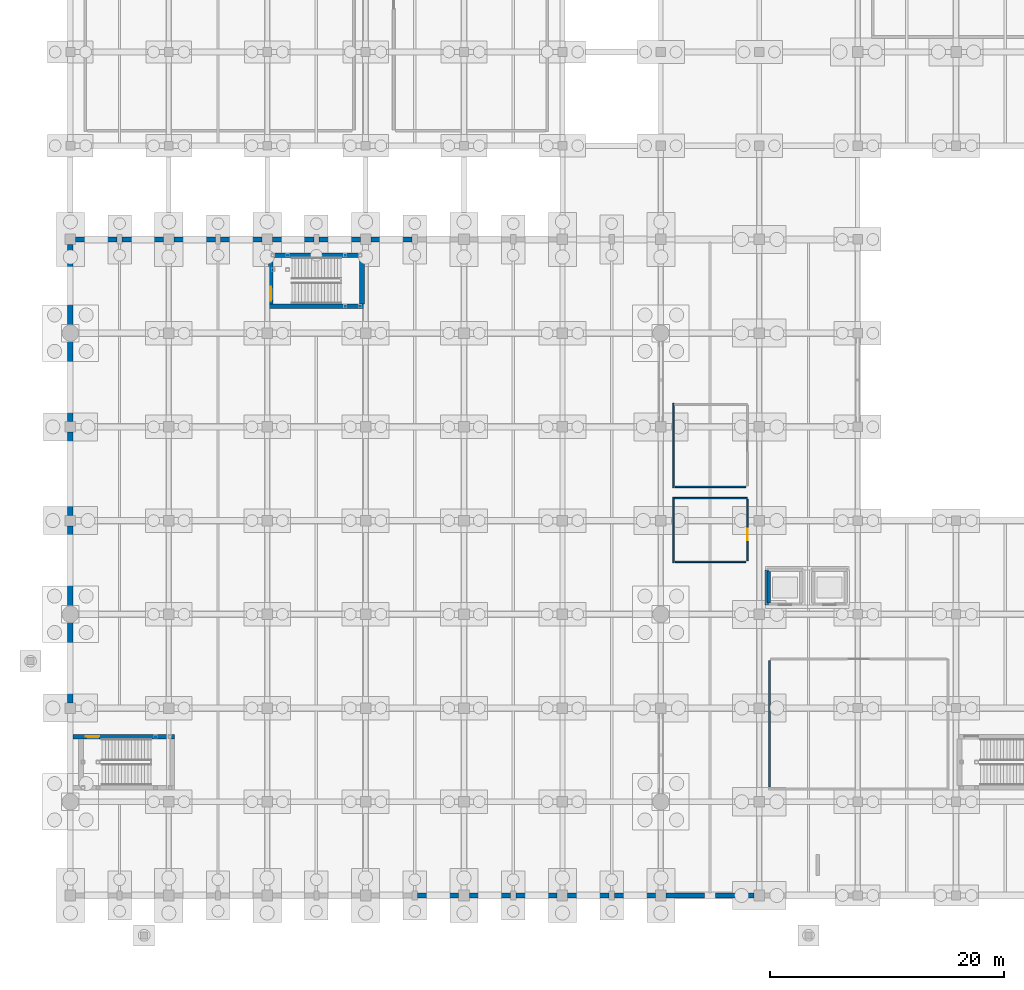
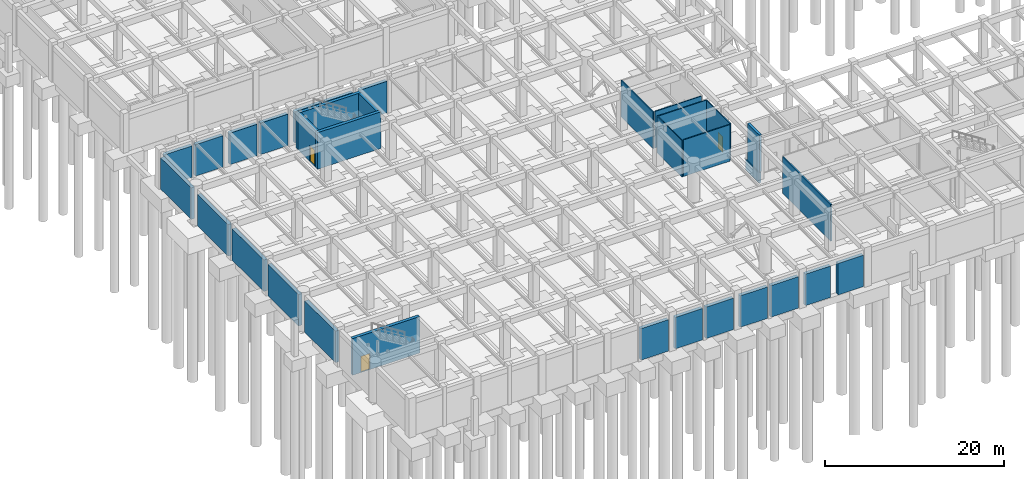
# One storey, part 36 of 56: 33 walls, 3 doors, 3 openings.
"""IFC4 building model written with IfcOpenShell, lengths in metres."""

from ifc_helpers import new_model, si_unit, direction, frame, frame_2d, origin, place, context, subcontext, project, spatial, rectangle, extrude, material, layer, layer_set, type_object, element, fill, save


model = new_model("IFC4")

# Units and contexts
model_context = context("Model", 3, precision=1e-05, world=origin(), true_north=direction((0.0, 1.0)))
body_context = subcontext(model_context, "Body", "Model", "MODEL_VIEW")
ifc_project = project(units=[si_unit("LENGTHUNIT", "METRE"), si_unit("AREAUNIT", "SQUARE_METRE"), si_unit("VOLUMEUNIT", "CUBIC_METRE"), si_unit("PLANEANGLEUNIT", "RADIAN"), si_unit("MASSUNIT", "GRAM", prefix="KILO")], contexts=[model_context])

# Site, building, storey
site_placement = place(None, origin())
site = spatial("IfcSite", under=ifc_project, at=site_placement, CompositionType="ELEMENT")
building_placement = place(site_placement, origin())
building = spatial("IfcBuilding", under=site, at=building_placement, Name="Naruveol Harbour Congress Hotel", CompositionType="ELEMENT")
storey_placement = place(building_placement, frame((0.0, 0.0, -5.39990234375)))
storey = spatial("IfcBuildingStorey", under=building, at=storey_placement, Name="B01", CompositionType="ELEMENT", Elevation=-5.39990234375)

# Walls
ifc_material_1 = material(Name="Autoclaved Aerated Concrete Block", Category="concrete")
ifc_layer_1 = layer(ifc_material_1, 0.179931640625)
ifc_layer_set_1 = layer_set([ifc_layer_1], Name="Autoclaved Aerated Concrete Block")
wall_type_1 = type_object("IfcWallType", Name="ACOUSTIC HALL PARTITION WALL 180 EI60", PredefinedType="PARTITIONING", material=ifc_layer_set_1)
wall_1_placement = place(storey_placement, frame((59.679931640625, 9.25, 0.0), z_axis=(0.0, 0.0, 1.0), x_axis=(0.0, 1.0, 0.0)))
element("IfcWall", 1, at=wall_1_placement, inside=storey, type_object=wall_type_1, Name="Bicycle Storage and Staff Changing Room west partition PW-180", PredefinedType="PARTITIONING", context=body_context, shape_type="SweptSolid", body=[
    extrude(rectangle(XDim=10.81005859375, YDim=0.179931640625, at=frame_2d((5.405029296875, 0.0))), origin(), (0.0, 0.0, 1.0), 4.994873046875),
])
ifc_material_2 = material(Name="Concrete C40/50", Category="concrete")
ifc_layer_2 = layer(ifc_material_2, 0.449951171875)
ifc_layer_set_2 = layer_set([ifc_layer_2], Name="Concrete C40/50")
wall_type_2 = type_object("IfcWallType", Name="RC BASEMENT RETAINING WALL 450", PredefinedType="USERDEFINED", material=ifc_layer_set_2)
for number, where, z_axis, x_axis, name in (
    (2, (58.35009765625, 0.0, 0.0), (0.0, 0.0, 1.0), (-1.0, 0.0, 0.0), "Basement south retaining wall RW-450"),
    (3, (54.1201171875, 0.0, 0.0), (0.0, 0.0, 1.0), (-1.0, 0.0, 0.0), "Basement south retaining wall RW-450"),
):
    element("IfcWall", number, at=place(storey_placement, frame(where, z_axis=z_axis, x_axis=x_axis)), inside=storey, type_object=wall_type_2, Name=name, ObjectType="RETAININGWALL", PredefinedType="USERDEFINED", context=body_context, shape_type="SweptSolid", body=[
        extrude(rectangle(XDim=3.27001953125, YDim=0.449951171875, at=frame_2d((1.635009765625, 0.0))), origin(), (0.0, 0.0, 1.0), 4.2998046875),
    ])
wall_2_placement = place(storey_placement, frame((49.949951171875, 0.0, 0.0), z_axis=(0.0, 0.0, 1.0), x_axis=(-1.0, 0.0, 0.0)))
element("IfcWall", 4, at=wall_2_placement, inside=storey, type_object=wall_type_2, Name="Basement south retaining wall RW-450", ObjectType="RETAININGWALL", PredefinedType="USERDEFINED", context=body_context, shape_type="SweptSolid", body=[
    extrude(rectangle(XDim=3.52490234375, YDim=0.449951171875, at=frame_2d((1.762451171875, 0.0))), origin(), (0.0, 0.0, 1.0), 4.2998046875),
])
for number, where, z_axis, x_axis, name in (
    (5, (45.97509765625, 0.0, 0.0), (0.0, 0.0, 1.0), (-1.0, 0.0, 0.0), "Basement south retaining wall RW-450"),
    (6, (41.550048828125, 0.0, 0.0), (0.0, 0.0, 1.0), (-1.0, 0.0, 0.0), "Basement south retaining wall RW-450"),
):
    element("IfcWall", number, at=place(storey_placement, frame(where, z_axis=z_axis, x_axis=x_axis)), inside=storey, type_object=wall_type_2, Name=name, ObjectType="RETAININGWALL", PredefinedType="USERDEFINED", context=body_context, shape_type="SweptSolid", body=[
        extrude(rectangle(XDim=3.525146484375, YDim=0.449951171875, at=frame_2d((1.7626953125, 0.0))), origin(), (0.0, 0.0, 1.0), 4.2998046875),
    ])
for number, where, z_axis, x_axis, name in (
    (7, (37.574951171875, 0.0, 0.0), (0.0, 0.0, 1.0), (-1.0, 0.0, 0.0), "Basement south retaining wall RW-450"),
    (8, (33.14990234375, 0.0, 0.0), (0.0, 0.0, 1.0), (-1.0, 0.0, 0.0), "Basement south retaining wall RW-450"),
):
    element("IfcWall", number, at=place(storey_placement, frame(where, z_axis=z_axis, x_axis=x_axis)), inside=storey, type_object=wall_type_2, Name=name, ObjectType="RETAININGWALL", PredefinedType="USERDEFINED", context=body_context, shape_type="SweptSolid", body=[
        extrude(rectangle(XDim=3.52490234375, YDim=0.449951171875, at=frame_2d((1.762451171875, 0.0))), origin(), (0.0, 0.0, 1.0), 4.2998046875),
    ])
for number, where, z_axis, x_axis, name in (
    (9, (0.0, 16.449951171875, 0.0), (0.0, 0.0, 1.0), (0.0, 1.0, 0.0), "Basement west retaining wall RW-450"),
    (10, (0.0, 24.699951171875, 0.0), (0.0, 0.0, 1.0), (0.0, 1.0, 0.0), "Basement west retaining wall RW-450"),
):
    element("IfcWall", number, at=place(storey_placement, frame(where, z_axis=z_axis, x_axis=x_axis)), inside=storey, type_object=wall_type_2, Name=name, ObjectType="RETAININGWALL", PredefinedType="USERDEFINED", context=body_context, shape_type="SweptSolid", body=[
        extrude(rectangle(XDim=6.85009765625, YDim=0.449951171875, at=frame_2d((3.425048828125, 0.0))), origin(), (0.0, 0.0, 1.0), 4.2998046875),
    ])
wall_3_placement = place(storey_placement, frame((0.0, 32.449951171875, 0.0), z_axis=(0.0, 0.0, 1.0), x_axis=(0.0, 1.0, 0.0)))
element("IfcWall", 11, at=wall_3_placement, inside=storey, type_object=wall_type_2, Name="Basement west retaining wall RW-450", ObjectType="RETAININGWALL", PredefinedType="USERDEFINED", context=body_context, shape_type="SweptSolid", body=[
    extrude(rectangle(XDim=7.10009765625, YDim=0.449951171875, at=frame_2d((3.550048828125, 0.0))), origin(), (0.0, 0.0, 1.0), 4.2998046875),
])
for number, where, z_axis, x_axis, name in (
    (12, (0.0, 40.449951171875, 0.0), (0.0, 0.0, 1.0), (0.0, 1.0, 0.0), "Basement west retaining wall RW-450"),
    (13, (0.0, 48.699951171875, 0.0), (0.0, 0.0, 1.0), (0.0, 1.0, 0.0), "Basement west retaining wall RW-450"),
):
    element("IfcWall", number, at=place(storey_placement, frame(where, z_axis=z_axis, x_axis=x_axis)), inside=storey, type_object=wall_type_2, Name=name, ObjectType="RETAININGWALL", PredefinedType="USERDEFINED", context=body_context, shape_type="SweptSolid", body=[
        extrude(rectangle(XDim=6.85009765625, YDim=0.449951171875, at=frame_2d((3.425048828125, 0.0))), origin(), (0.0, 0.0, 1.0), 4.2998046875),
    ])
wall_4_placement = place(storey_placement, frame((0.449951171875, 56.0, 0.0), z_axis=(0.0, 0.0, 1.0), x_axis=(1.0, 0.0, 0.0)))
element("IfcWall", 14, at=wall_4_placement, inside=storey, type_object=wall_type_2, Name="Basement V1 north wall RW-450", ObjectType="RETAININGWALL", PredefinedType="USERDEFINED", context=body_context, shape_type="SweptSolid", body=[
    extrude(rectangle(XDim=3.525146484375, YDim=0.449951171875, at=frame_2d((1.7626953125, 0.0))), origin(), (0.0, 0.0, 1.0), 4.2998046875),
])
for number, where, z_axis, x_axis, name in (
    (15, (4.425048828125, 56.0, 0.0), (0.0, 0.0, 1.0), (1.0, 0.0, 0.0), "Basement V1 north wall RW-450"),
    (16, (8.85009765625, 56.0, 0.0), (0.0, 0.0, 1.0), (1.0, 0.0, 0.0), "Basement V1 north wall RW-450"),
):
    element("IfcWall", number, at=place(storey_placement, frame(where, z_axis=z_axis, x_axis=x_axis)), inside=storey, type_object=wall_type_2, Name=name, ObjectType="RETAININGWALL", PredefinedType="USERDEFINED", context=body_context, shape_type="SweptSolid", body=[
        extrude(rectangle(XDim=3.52490234375, YDim=0.449951171875, at=frame_2d((1.762451171875, 0.0))), origin(), (0.0, 0.0, 1.0), 4.2998046875),
    ])
wall_5_placement = place(storey_placement, frame((12.824951171875, 56.0, 0.0), z_axis=(0.0, 0.0, 1.0), x_axis=(1.0, 0.0, 0.0)))
element("IfcWall", 17, at=wall_5_placement, inside=storey, type_object=wall_type_2, Name="Basement V1 north wall RW-450", ObjectType="RETAININGWALL", PredefinedType="USERDEFINED", context=body_context, shape_type="SweptSolid", body=[
    extrude(rectangle(XDim=3.525146484375, YDim=0.449951171875, at=frame_2d((1.7626953125, 0.0))), origin(), (0.0, 0.0, 1.0), 4.2998046875),
])
for number, where, z_axis, x_axis, name in (
    (18, (17.25, 56.0, 0.0), (0.0, 0.0, 1.0), (1.0, 0.0, 0.0), "Basement V1 north wall RW-450"),
    (19, (21.22509765625, 56.0, 0.0), (0.0, 0.0, 1.0), (1.0, 0.0, 0.0), "Basement V1 north wall RW-450"),
):
    element("IfcWall", number, at=place(storey_placement, frame(where, z_axis=z_axis, x_axis=x_axis)), inside=storey, type_object=wall_type_2, Name=name, ObjectType="RETAININGWALL", PredefinedType="USERDEFINED", context=body_context, shape_type="SweptSolid", body=[
        extrude(rectangle(XDim=3.52490234375, YDim=0.449951171875, at=frame_2d((1.762451171875, 0.0))), origin(), (0.0, 0.0, 1.0), 4.2998046875),
    ])
wall_6_placement = place(storey_placement, frame((25.64990234375, 56.0, 0.0), z_axis=(0.0, 0.0, 1.0), x_axis=(1.0, 0.0, 0.0)))
element("IfcWall", 20, at=wall_6_placement, inside=storey, type_object=wall_type_2, Name="Basement V1 north wall RW-450", ObjectType="RETAININGWALL", PredefinedType="USERDEFINED", context=body_context, shape_type="SweptSolid", body=[
    extrude(rectangle(XDim=3.525146484375, YDim=0.449951171875, at=frame_2d((1.7626953125, 0.0))), origin(), (0.0, 0.0, 1.0), 4.2998046875),
])

# Wall, opening, door
ifc_material_3 = material(Name="Concrete C50/60", Category="concrete")
ifc_layer_3 = layer(ifc_material_3, 0.39990234375)
ifc_layer_set_3 = layer_set([ifc_layer_3], Name="Concrete C50/60")
wall_type_3 = type_object("IfcWallType", Name="RC CORE SHEAR WALL 400 EI120", PredefinedType="SHEAR", material=ifc_layer_set_3)
wall_7_placement = place(storey_placement, frame((0.22509765625, 13.56005859375, 0.0), z_axis=(0.0, 0.0, 1.0), x_axis=(1.0, 0.0, 0.0)))
wall_7 = element("IfcWall", 21, at=wall_7_placement, inside=storey, type_object=wall_type_3, Name="Stair ST5 north core wall CW-400", PredefinedType="SHEAR", context=body_context, shape_type="SweptSolid", body=[
    extrude(rectangle(XDim=8.6748046875, YDim=0.39990234375, at=frame_2d((4.33740234375, 0.0))), origin(), (0.0, 0.0, 1.0), 4.994873046875),
])
opening_1_placement = place(wall_7_placement, frame((1.094970703125, 0.0, 0.0)))
opening_1 = element("IfcOpeningElement", 22, at=opening_1_placement, cuts=wall_7, Name="Opening FD-ST5-B01", PredefinedType="OPENING", context=body_context, shape_type="SweptSolid", body=[
    extrude(rectangle(XDim=1.159912109375, YDim=2.199951171875, at=frame_2d((0.580078125, 1.10009765625))), frame((0.0, 0.2099609375, 0.0), z_axis=(0.0, -1.0, 0.0), x_axis=(1.0, 0.0, 0.0)), (0.0, 0.0, 1.0), 0.419921875),
])
ifc_material_4 = material(Name="Timber & Steel Acoustic Leaf", Category="steel")
door_type_1 = type_object("IfcDoorType", Name="SPECIAL ESCAPE STAIR FIRE DOOR 1160X2200", OperationType="NOTDEFINED", PredefinedType="DOOR", material=ifc_material_4)
door_1_placement = place(opening_1_placement, origin())
door_1 = element("IfcDoor", 23, at=door_1_placement, inside=storey, type_object=door_type_1, Name="Enclosed Exit Stair Door ST5 B01", OperationType="SINGLE_SWING_RIGHT", OverallHeight=2.199951171875, OverallWidth=1.159912109375, PredefinedType="DOOR", context=body_context, shape_type="SweptSolid", body=[
    extrude(rectangle(XDim=1.159912109375, YDim=2.199951171875, at=frame_2d((0.580078125, 1.10009765625))), frame((0.0, 0.02490234375, 0.0), z_axis=(0.0, -1.0, 0.0), x_axis=(1.0, 0.0, 0.0)), (0.0, 0.0, 1.0), 0.050048828125),
])
fill(opening_1, door_1)

# Walls
wall_8_placement = place(storey_placement, frame((16.89990234375, 50.300048828125, 0.0), z_axis=(0.0, 0.0, 1.0), x_axis=(1.0, 0.0, 0.0)))
element("IfcWall", 24, at=wall_8_placement, inside=storey, type_object=wall_type_3, Name="Stair ST6 south core wall CW-400", PredefinedType="SHEAR", context=body_context, shape_type="SweptSolid", body=[
    extrude(rectangle(XDim=8.2001953125, YDim=0.39990234375, at=frame_2d((4.10009765625, 0.0))), origin(), (0.0, 0.0, 1.0), 4.994873046875),
])
wall_9_placement = place(storey_placement, frame((24.89990234375, 50.5048828125, 0.0), z_axis=(0.0, 0.0, 1.0), x_axis=(0.0, 1.0, 0.0)))
element("IfcWall", 25, at=wall_9_placement, inside=storey, type_object=wall_type_3, Name="Stair ST6 east core wall CW-400", PredefinedType="SHEAR", context=body_context, shape_type="SweptSolid", body=[
    extrude(rectangle(XDim=3.9501953125, YDim=0.39990234375, at=frame_2d((1.97509765625, 0.0))), origin(), (0.0, 0.0, 1.0), 4.994873046875),
])
wall_10_placement = place(storey_placement, frame((16.89990234375, 54.659912109375, 0.0), z_axis=(0.0, 0.0, 1.0), x_axis=(1.0, 0.0, 0.0)))
element("IfcWall", 26, at=wall_10_placement, inside=storey, type_object=wall_type_3, Name="Stair ST6 north core wall CW-400", PredefinedType="SHEAR", context=body_context, shape_type="SweptSolid", body=[
    extrude(rectangle(XDim=8.2001953125, YDim=0.39990234375, at=frame_2d((4.10009765625, 0.0))), origin(), (0.0, 0.0, 1.0), 4.994873046875),
])

# Wall, opening, door
wall_11_placement = place(storey_placement, frame((17.10009765625, 50.5048828125, 0.0), z_axis=(0.0, 0.0, 1.0), x_axis=(0.0, 1.0, 0.0)))
wall_11 = element("IfcWall", 27, at=wall_11_placement, inside=storey, type_object=wall_type_3, Name="Stair ST6 west core wall CW-400", PredefinedType="SHEAR", context=body_context, shape_type="SweptSolid", body=[
    extrude(rectangle(XDim=3.9501953125, YDim=0.39990234375, at=frame_2d((1.97509765625, 0.0))), origin(), (0.0, 0.0, 1.0), 4.994873046875),
])
opening_2_placement = place(wall_11_placement, frame((0.280029296875, 0.0, 0.0)))
opening_2 = element("IfcOpeningElement", 28, at=opening_2_placement, cuts=wall_11, Name="Opening FD-ST6-B01", PredefinedType="OPENING", context=body_context, shape_type="SweptSolid", body=[
    extrude(rectangle(XDim=1.159912109375, YDim=2.199951171875, at=frame_2d((0.580078125, 1.10009765625))), frame((0.0, 0.2099609375, 0.0), z_axis=(0.0, -1.0, 0.0), x_axis=(1.0, 0.0, 0.0)), (0.0, 0.0, 1.0), 0.419921875),
])
door_2_placement = place(opening_2_placement, origin())
door_2 = element("IfcDoor", 29, at=door_2_placement, inside=storey, type_object=door_type_1, Name="Enclosed Exit Stair Door ST6 B01", OperationType="SINGLE_SWING_RIGHT", OverallHeight=2.199951171875, OverallWidth=1.159912109375, PredefinedType="DOOR", context=body_context, shape_type="SweptSolid", body=[
    extrude(rectangle(XDim=1.159912109375, YDim=2.199951171875, at=frame_2d((0.580078125, 1.10009765625))), frame((0.0, 0.02490234375, 0.0), z_axis=(0.0, -1.0, 0.0), x_axis=(1.0, 0.0, 0.0)), (0.0, 0.0, 1.0), 0.050048828125),
])
fill(opening_2, door_2)

# Walls
ifc_material_5 = material(Name="Concrete C40/50", Category="concrete")
ifc_layer_4 = layer(ifc_material_5, 0.300048828125)
ifc_layer_set_4 = layer_set([ifc_layer_4], Name="Concrete C40/50")
wall_type_4 = type_object("IfcWallType", Name="RC LIFT PIT RETAINING WALL 300", PredefinedType="USERDEFINED", material=ifc_layer_set_4)
wall_12_placement = place(storey_placement, frame((59.449951171875, 27.7900390625, -1.400146484375), z_axis=(0.0, 0.0, 1.0), x_axis=(0.0, -1.0, 0.0)))
element("IfcWall", 30, at=wall_12_placement, inside=storey, type_object=wall_type_4, Name="Lift pit wall CL1 #4", ObjectType="RETAININGWALL", PredefinedType="USERDEFINED", context=body_context, shape_type="SweptSolid", body=[
    extrude(rectangle(XDim=2.97998046875, YDim=0.300048828125, at=frame_2d((1.489990234375, 0.0))), origin(), (0.0, 0.0, 1.0), 1.400146484375),
])
ifc_material_6 = material(Name="Concrete C50/60", Category="concrete")
ifc_layer_5 = layer(ifc_material_6, 0.300048828125)
ifc_layer_set_5 = layer_set([ifc_layer_5], Name="Concrete C50/60")
wall_type_5 = type_object("IfcWallType", Name="RC STAIR AND HOISTWAY SHEAR WALL 300 EI120", PredefinedType="SHEAR", material=ifc_layer_set_5)
wall_13_placement = place(storey_placement, frame((59.60009765625, 27.64501953125, 0.0), z_axis=(0.0, 0.0, 1.0), x_axis=(0.0, -1.0, 0.0)))
element("IfcWall", 31, at=wall_13_placement, inside=storey, type_object=wall_type_5, Name="Hoistway west shear wall CL1 SW-300", PredefinedType="SHEAR", context=body_context, shape_type="SweptSolid", body=[
    extrude(rectangle(XDim=2.68994140625, YDim=0.300048828125, at=frame_2d((1.344970703125, 0.0))), origin(), (0.0, 0.0, 1.0), 4.994873046875),
])

# Wall, opening, door
ifc_material_7 = material(Name="Acoustic Double Stud Gypsum", Category="gypsum")
ifc_layer_6 = layer(ifc_material_7, 0.125)
ifc_layer_set_6 = layer_set([ifc_layer_6], Name="Acoustic Double Stud Gypsum")
wall_type_6 = type_object("IfcWallType", Name="SERVICE CHASE PARTITION WALL 125", PredefinedType="PARTITIONING", material=ifc_layer_set_6)
wall_14_placement = place(storey_placement, frame((57.800048828125, 28.56005859375, 0.0), z_axis=(0.0, 0.0, 1.0), x_axis=(0.0, 1.0, 0.0)))
wall_14 = element("IfcWall", 32, at=wall_14_placement, inside=storey, type_object=wall_type_6, Name="Accessible Restroom east entry wall PW-125", PredefinedType="PARTITIONING", context=body_context, shape_type="SweptSolid", body=[
    extrude(rectangle(XDim=5.280029296875, YDim=0.125, at=frame_2d((2.64013671875, 0.0))), origin(), (0.0, 0.0, 1.0), 4.994873046875),
])
opening_3_placement = place(wall_14_placement, frame((1.76806640625, 0.0, 0.0)))
opening_3 = element("IfcOpeningElement", 33, at=opening_3_placement, cuts=wall_14, Name="Opening BD-ACC-B01-9", PredefinedType="OPENING", context=body_context, shape_type="SweptSolid", body=[
    extrude(rectangle(XDim=0.97998046875, YDim=2.14990234375, at=frame_2d((0.489990234375, 1.074951171875))), frame((0.0, 0.072509765625, 0.0), z_axis=(0.0, -1.0, 0.0), x_axis=(1.0, 0.0, 0.0)), (0.0, 0.0, 1.0), 0.14501953125),
])
ifc_material_8 = material(Name="Timber & Steel Acoustic Leaf", Category="steel")
door_type_2 = type_object("IfcDoorType", Name="ACCESSIBLE RESTROOM DOOR 980X2150", OperationType="NOTDEFINED", PredefinedType="DOOR", material=ifc_material_8)
door_3_placement = place(opening_3_placement, origin())
door_3 = element("IfcDoor", 34, at=door_3_placement, inside=storey, type_object=door_type_2, Name="Accessible Restroom Door B01", OperationType="SINGLE_SWING_RIGHT", OverallHeight=2.14990234375, OverallWidth=0.97998046875, PredefinedType="DOOR", context=body_context, shape_type="SweptSolid", body=[
    extrude(rectangle(XDim=0.97998046875, YDim=2.14990234375, at=frame_2d((0.489990234375, 1.074951171875))), frame((0.0, 0.02490234375, 0.0), z_axis=(0.0, -1.0, 0.0), x_axis=(1.0, 0.0, 0.0)), (0.0, 0.0, 1.0), 0.050048828125),
])
fill(opening_3, door_3)

# Walls
for number, where, z_axis, x_axis, name in (
    (35, (51.64990234375, 28.47998046875, 0.0), (0.0, 0.0, 1.0), (1.0, 0.0, 0.0), "Accessible Restroom south partition PW-125"),
    (36, (51.64990234375, 34.8798828125, 0.0), (0.0, 0.0, 1.0), (1.0, 0.0, 0.0), "Staff Restrooms south partition PW-125"),
):
    element("IfcWall", number, at=place(storey_placement, frame(where, z_axis=z_axis, x_axis=x_axis)), inside=storey, type_object=wall_type_6, Name=name, PredefinedType="PARTITIONING", context=body_context, shape_type="SweptSolid", body=[
        extrude(rectangle(XDim=6.010009765625, YDim=0.125, at=frame_2d((3.0048828125, 0.0))), origin(), (0.0, 0.0, 1.0), 4.994873046875),
    ])
wall_15_placement = place(storey_placement, frame((51.47998046875, 28.39990234375, 0.0), z_axis=(0.0, 0.0, 1.0), x_axis=(0.0, 1.0, 0.0)))
element("IfcWall", 37, at=wall_15_placement, inside=storey, type_object=wall_type_6, Name="Accessible Restroom west enclosure partition PW-125", PredefinedType="PARTITIONING", context=body_context, shape_type="SweptSolid", body=[
    extrude(rectangle(XDim=5.60009765625, YDim=0.125, at=frame_2d((2.800048828125, 0.0))), origin(), (0.0, 0.0, 1.0), 4.994873046875),
])
wall_16_placement = place(storey_placement, frame((51.5419921875, 33.919921875, 0.0), z_axis=(0.0, 0.0, 1.0), x_axis=(1.0, 0.0, 0.0)))
element("IfcWall", 38, at=wall_16_placement, inside=storey, type_object=wall_type_6, Name="Accessible Restroom north enclosure partition PW-125", PredefinedType="PARTITIONING", context=body_context, shape_type="SweptSolid", body=[
    extrude(rectangle(XDim=6.25390625, YDim=0.125, at=frame_2d((3.126953125, 0.0))), origin(), (0.0, 0.0, 1.0), 4.994873046875),
])
wall_17_placement = place(storey_placement, frame((51.47998046875, 34.800048828125, 0.0), z_axis=(0.0, 0.0, 1.0), x_axis=(0.0, 1.0, 0.0)))
element("IfcWall", 39, at=wall_17_placement, inside=storey, type_object=wall_type_6, Name="Staff Restrooms west enclosure partition PW-125", PredefinedType="PARTITIONING", context=body_context, shape_type="SweptSolid", body=[
    extrude(rectangle(XDim=7.199951171875, YDim=0.125, at=frame_2d((3.60009765625, 0.0))), origin(), (0.0, 0.0, 1.0), 4.994873046875),
])

save(model, "model.ifc")
